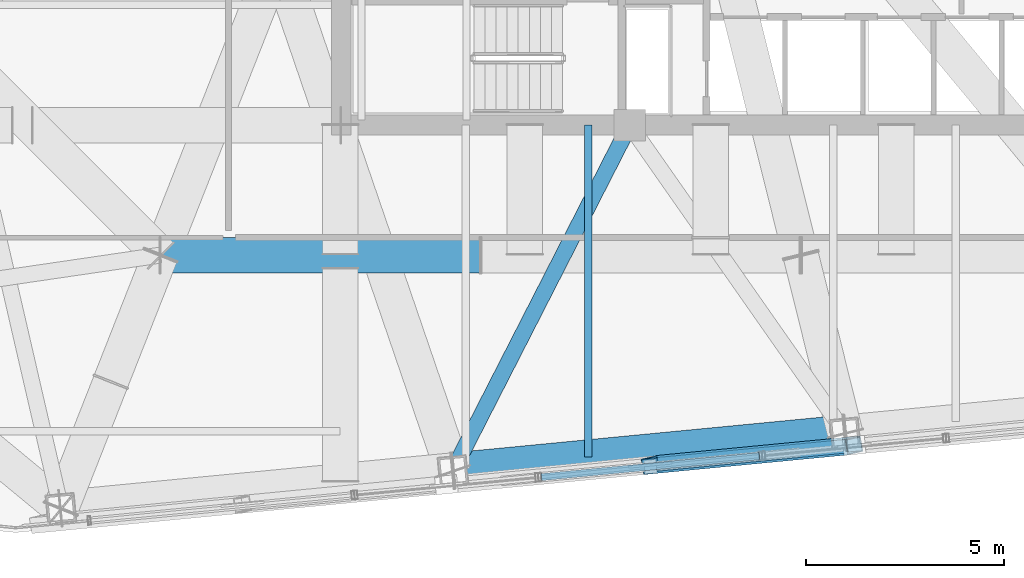
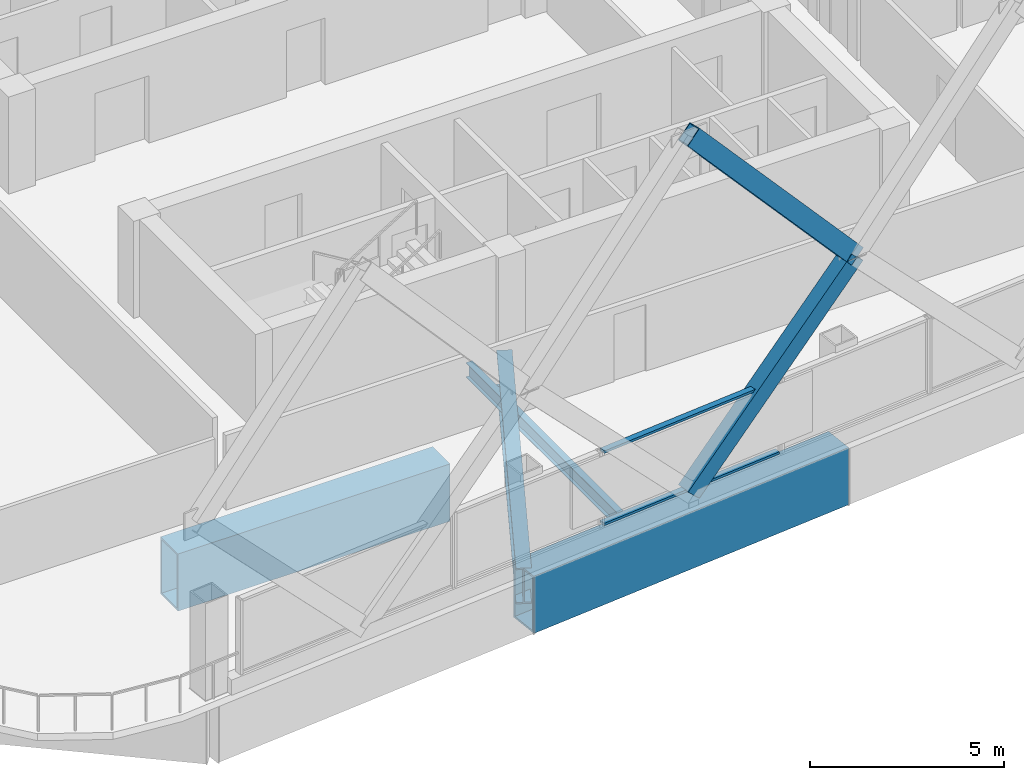
# One storey, part 6 of 37: 4 beams, 4 members, 1 element without a shape of its own.
"""IFC4 building model written with IfcOpenShell, lengths in metres."""

from ifc_helpers import new_model, si_unit, direction, frame, origin, origin_2d, place, context, subcontext, project, spatial, hollow_rectangle, i_section, extrude, material, layer, layer_set, material_profile, profile_set, type_object, element, aggregate, save


model = new_model("IFC4")

# Units and contexts
model_context = context("Model", 3, precision=1e-05, world=origin(), true_north=direction((0.0, 1.0)))
body_context = subcontext(model_context, "Body", "Model", "MODEL_VIEW")
ifc_project = project(units=[si_unit("LENGTHUNIT", "METRE"), si_unit("AREAUNIT", "SQUARE_METRE"), si_unit("VOLUMEUNIT", "CUBIC_METRE"), si_unit("PLANEANGLEUNIT", "RADIAN"), si_unit("MASSUNIT", "GRAM", prefix="KILO")], contexts=[model_context])

# Site, building, storey
site_placement = place(None, origin())
site = spatial("IfcSite", under=ifc_project, at=site_placement, CompositionType="ELEMENT")
building_placement = place(site_placement, origin())
building = spatial("IfcBuilding", under=site, at=building_placement, Name="Qhalaya Broadcast Tower", CompositionType="ELEMENT")
storey_placement = place(building_placement, frame((0.0, 0.0, 156.14990234375)))
storey = spatial("IfcBuildingStorey", under=building, at=storey_placement, Name="L45", CompositionType="ELEMENT", Elevation=156.14990234375)

# Beams
ifc_material_1 = material(Name="Structural Steel ASTM A572 Grade 50", Category="steel")
ifc_material_profile_1 = material_profile(ifc_material_1, hollow_rectangle(XDim=0.89990234375, YDim=1.800048828125, WallThickness=0.06005859375, at=origin_2d()), Name="BOX 900x1800x60")
ifc_profile_set_1 = profile_set([ifc_material_profile_1], Name="Structural Steel ASTM A572 Grade 50")
beam_type_1 = type_object("IfcBeamType", Name="Block Cantilever Transfer Box Girder TG1", PredefinedType="USERDEFINED", material=ifc_profile_set_1)
beam_1_placement = place(storey_placement, frame((-6.521240234375, -17.49267578125, -1.119873046875), z_axis=(0.99539573508, 0.095850563819, 0.0), x_axis=(-0.095850563819, 0.99539573508, 0.0)))
element("IfcBeam", 1, at=beam_1_placement, inside=storey, type_object=beam_type_1, Name="L45 TG1 L45-SPR-02", ObjectType="GIRDER", PredefinedType="USERDEFINED", context=body_context, shape_type="SweptSolid", body=[
    extrude(hollow_rectangle(XDim=0.89990234375, YDim=1.800048828125, WallThickness=0.06005859375, at=origin_2d()), origin(), (0.0, 0.0, 1.0), 9.966796875),
])
beam_2_placement = place(storey_placement, frame((-13.919921875, -12.0400390625, -1.119873046875), z_axis=(1.0, 0.0, 0.0), x_axis=(0.0, 1.0, 0.0)))
element("IfcBeam", 2, at=beam_2_placement, inside=storey, type_object=beam_type_1, Name="L45 TG1 L45-TGL-01", ObjectType="GIRDER", PredefinedType="USERDEFINED", context=body_context, shape_type="SweptSolid", body=[
    extrude(hollow_rectangle(XDim=0.89990234375, YDim=1.800048828125, WallThickness=0.06005859375, at=origin_2d()), origin(), (0.0, 0.0, 1.0), 8.099853515625),
])
ifc_material_2 = material(Name="Structural Steel ASTM A992 Grade 50", Category="steel")
ifc_material_profile_2 = material_profile(ifc_material_2, i_section(OverallWidth=0.19189453125, OverallDepth=0.462890625, WebThickness=0.010498046875, FlangeThickness=0.017578125, at=origin_2d()), Name="W18X60")
ifc_profile_set_2 = profile_set([ifc_material_profile_2], Name="Structural Steel ASTM A992 Grade 50")
beam_type_2 = type_object("IfcBeamType", Name="Composite Floor Joist J03", PredefinedType="JOIST", material=ifc_profile_set_2)
beam_3_placement = place(storey_placement, frame((-3.10009765625, -17.14306640625, -0.451416015625), z_axis=(0.0, 1.0, 0.0), x_axis=(-1.0, 0.0, 0.0)))
element("IfcBeam", 3, at=beam_3_placement, inside=storey, type_object=beam_type_2, Name="L45 J03 L45-JNS2-1", PredefinedType="JOIST", context=body_context, shape_type="SweptSolid", body=[
    extrude(i_section(OverallWidth=0.19189453125, OverallDepth=0.462890625, WebThickness=0.010498046875, FlangeThickness=0.017578125, at=origin_2d()), origin(), (0.0, 0.0, 1.0), 8.39306640625),
])

# Members
ifc_material_profile_3 = material_profile(ifc_material_1, hollow_rectangle(XDim=0.39990234375, YDim=0.550048828125, WallThickness=0.02490234375, at=origin_2d()), Name="BOX 400x550x25")
ifc_profile_set_3 = profile_set([ifc_material_profile_3], Name="Structural Steel ASTM A572 Grade 50")
member_type_1 = type_object("IfcMemberType", Name="Exoskeleton Diamond Diagonal Mid-High EX3", PredefinedType="BRACE", material=ifc_profile_set_3)
member_1_placement = place(storey_placement, frame((-1.5283203125, -17.353515625, 0.360107421875), z_axis=(0.690648993337, 0.0665028249, 0.72012592113), x_axis=(-0.164109007074, 0.984198011305, 0.066501942389)))
element("IfcMember", 4, at=member_1_placement, inside=storey, type_object=member_type_1, Name="B4 Exoskeleton Diamond Brace S2-D2", PredefinedType="BRACE", context=body_context, shape_type="SweptSolid", body=[
    extrude(hollow_rectangle(XDim=0.39990234375, YDim=0.550048828125, WallThickness=0.02490234375, at=origin_2d()), origin(), (0.0, 0.0, 1.0), 7.470703125),
])
member_2_placement = place(storey_placement, frame((3.63134765625, -16.856689453125, 5.739990234375), z_axis=(-0.659494276547, -0.063502926695, 0.749022481307), x_axis=(0.166865868543, -0.983932552182, 0.063502083994)))
element("IfcMember", 5, at=member_2_placement, inside=storey, type_object=member_type_1, Name="B4 Exoskeleton Diamond Brace S2-D4", PredefinedType="BRACE", context=body_context, shape_type="SweptSolid", body=[
    extrude(hollow_rectangle(XDim=0.39990234375, YDim=0.550048828125, WallThickness=0.02490234375, at=origin_2d()), origin(), (0.0, 0.0, 1.0), 7.82373046875),
])

# Beam
ifc_material_profile_4 = material_profile(ifc_material_2, i_section(OverallWidth=0.404052734375, OverallDepth=1.117919921875, WebThickness=0.026123046875, FlangeThickness=0.044921875, at=origin_2d()), Name="W44X335")
ifc_profile_set_4 = profile_set([ifc_material_profile_4], Name="Structural Steel ASTM A992 Grade 50")
beam_type_3 = type_object("IfcBeamType", Name="Podium Long-Span Primary Girder PG1", PredefinedType="USERDEFINED", material=ifc_profile_set_4)
beam_4_placement = place(storey_placement, frame((-2.050048828125, -8.75, -0.77880859375), z_axis=(-0.455330076601, -0.890322706294, 0.0), x_axis=(0.890322706294, -0.455330076601, 0.0)))
element("IfcBeam", 6, at=beam_4_placement, inside=storey, type_object=beam_type_3, Name="L45 Column-to-Column Moment Tie Girder 02-1", ObjectType="GIRDER", PredefinedType="USERDEFINED", context=body_context, shape_type="SweptSolid", body=[
    extrude(i_section(OverallWidth=0.404052734375, OverallDepth=1.117919921875, WebThickness=0.026123046875, FlangeThickness=0.044921875, at=origin_2d()), origin(), (0.0, 0.0, 1.0), 9.819580078125),
])

# Curtain wall, members
ifc_material_3 = material(Name="Fired Architectural Terracotta", Category="masonry")
ifc_layer = layer(ifc_material_3, 0.219970703125, Name="Fired Architectural Terracotta")
ifc_layer_set = layer_set([ifc_layer], Name="Fired Architectural Terracotta")
curtain_wall_type = type_object("IfcCurtainWallType", Name="Block-Cap Unitised Terracotta Spandrel Wall CW-07", PredefinedType="NOTDEFINED", material=ifc_layer_set)
curtain_wall_placement = place(storey_placement, origin())
curtain_wall = element("IfcCurtainWall", 7, at=curtain_wall_placement, inside=storey, type_object=curtain_wall_type, Name="L45 Unitised Curtain Wall L45-CW-S3", PredefinedType="NOTDEFINED")
ifc_material_4 = material(Name="Anodised Aluminium 6063-T6", Category="aluminium")
ifc_material_profile_5 = material_profile(ifc_material_4, hollow_rectangle(XDim=0.074951171875, YDim=0.179931640625, WallThickness=0.00390625, at=origin_2d()), Name="ALU-TRN 75x180x4")
ifc_profile_set_5 = profile_set([ifc_material_profile_5], Name="Anodised Aluminium 6063-T6")
member_type_2 = type_object("IfcMemberType", Name="Unitised Curtain-Wall Transom T01", PredefinedType="USERDEFINED", material=ifc_profile_set_5)
member_3_placement = place(storey_placement, frame((-4.282470703125, -17.65869140625, 0.517578125), z_axis=(0.995398934264, 0.095817334898, 0.0), x_axis=(0.0, 0.0, 1.0)))
member_3 = element("IfcMember", 8, at=member_3_placement, type_object=member_type_2, Name="CW-07 transom 1.1", ObjectType="TRANSOM", PredefinedType="USERDEFINED", context=body_context, shape_type="SweptSolid", body=[
    extrude(hollow_rectangle(XDim=0.074951171875, YDim=0.179931640625, WallThickness=0.00390625, at=origin_2d()), origin(), (0.0, 0.0, 1.0), 5.541748046875),
])
member_4_placement = place(storey_placement, frame((-4.282470703125, -17.65869140625, 2.79248046875), z_axis=(0.995398934264, 0.095817334898, 0.0), x_axis=(0.0, 0.0, 1.0)))
member_4 = element("IfcMember", 9, at=member_4_placement, type_object=member_type_2, Name="CW-07 transom 1.2", ObjectType="TRANSOM", PredefinedType="USERDEFINED", context=body_context, shape_type="SweptSolid", body=[
    extrude(hollow_rectangle(XDim=0.074951171875, YDim=0.179931640625, WallThickness=0.00390625, at=origin_2d()), origin(), (0.0, 0.0, 1.0), 5.541748046875),
])
aggregate(curtain_wall, [member_3, member_4])

save(model, "model.ifc")
